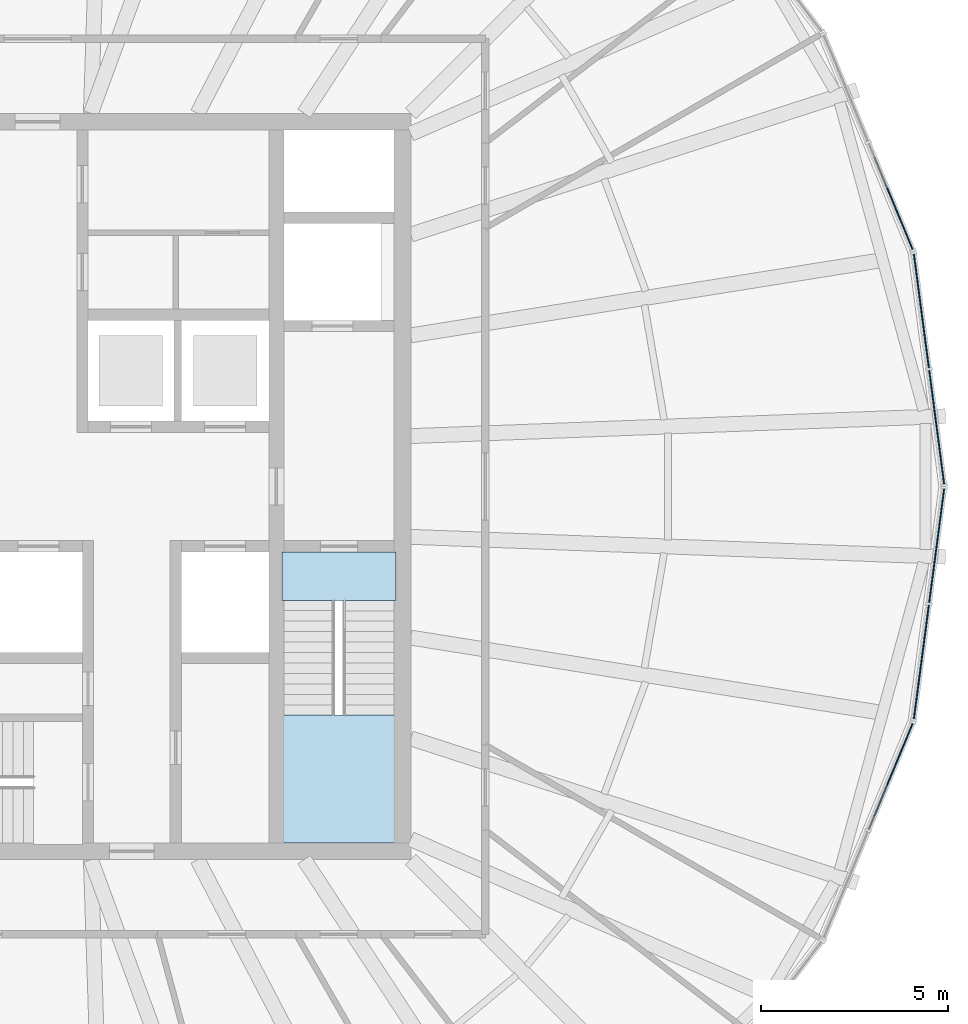
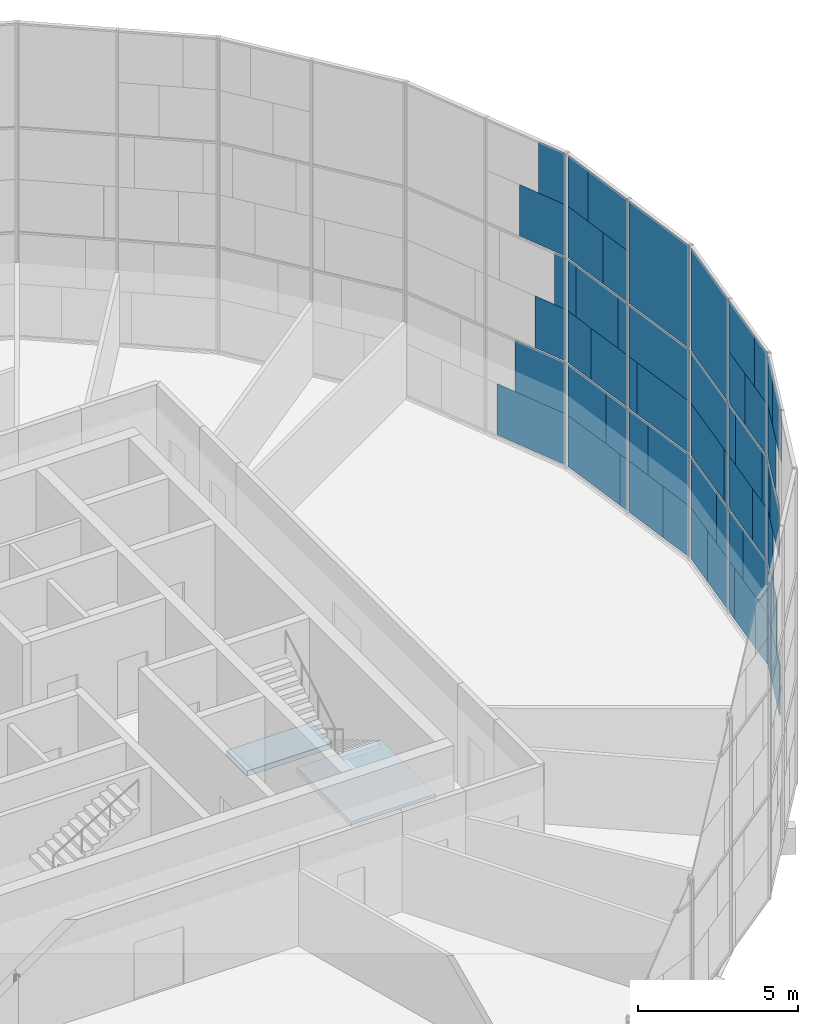
# One storey, part 14 of 22: 56 plates, 2 slabs, 5 elements without a shape of their own.
"""IFC4 building model written with IfcOpenShell, lengths in metres."""

from ifc_helpers import new_model, si_unit, direction, frame, origin, origin_2d, place, context, subcontext, project, spatial, polyline, rectangle, outline, extrude, material, layer, layer_set, type_object, element, aggregate, save


model = new_model("IFC4")

# Units and contexts
model_context = context("Model", 3, precision=1e-05, world=origin(), true_north=direction((0.0, 1.0)))
body_context = subcontext(model_context, "Body", "Model", "MODEL_VIEW")
ifc_project = project(units=[si_unit("LENGTHUNIT", "METRE"), si_unit("AREAUNIT", "SQUARE_METRE"), si_unit("VOLUMEUNIT", "CUBIC_METRE"), si_unit("PLANEANGLEUNIT", "RADIAN"), si_unit("MASSUNIT", "GRAM", prefix="KILO")], contexts=[model_context])

# Site, building, storey
site_placement = place(None, origin())
site = spatial("IfcSite", under=ifc_project, at=site_placement, CompositionType="ELEMENT")
building_placement = place(site_placement, origin())
building = spatial("IfcBuilding", under=site, at=building_placement, Name="Golbaran Civic Tower", CompositionType="ELEMENT")
storey_placement = place(building_placement, frame((0.0, 0.0, 155.0)))
storey = spatial("IfcBuildingStorey", under=building, at=storey_placement, Name="L37", CompositionType="ELEMENT", Elevation=155.0)

# Curtain wall, plates
ifc_material_1 = material(Name="Aluminium and glass", Category="aluminium")
curtain_wall_type = type_object("IfcCurtainWallType", Name="INNER SKIN CURTAIN WALL", PredefinedType="NOTDEFINED", material=ifc_material_1)
curtain_wall_1_placement = place(storey_placement, origin())
curtain_wall_1 = element("IfcCurtainWall", 1, at=curtain_wall_1_placement, inside=storey, type_object=curtain_wall_type, Name="Inner skin L37 facet 1 CW1", ObjectType="INNER SKIN", PredefinedType="USERDEFINED")
ifc_material_2 = material(Name="Clear insulating glass", Category="glass")
ifc_layer_1 = layer(ifc_material_2, 0.031982421875, Name="Clear insulating glass")
ifc_layer_set_1 = layer_set([ifc_layer_1], Name="Clear insulating glass")
plate_type_1 = type_object("IfcPlateType", Name="INNER SKIN CURTAIN WALL GLAZED PANEL", PredefinedType="CURTAIN_PANEL", material=ifc_layer_set_1)
plate_1_placement = place(storey_placement, frame((24.205810546875, 0.731201171875, 0.06494140625), z_axis=(0.0, 0.0, 1.0), x_axis=(-0.130526192289, 0.991444861365, 0.0)))
plate_1 = element("IfcPlate", 2, at=plate_1_placement, type_object=plate_type_1, Name="CW1 panel 1.1 part 1", PredefinedType="CURTAIN_PANEL", context=body_context, shape_type="SweptSolid", body=[
    extrude(rectangle(XDim=1.344970703125, YDim=0.031982421875, at=origin_2d()), origin(), (0.0, 0.0, 1.0), 1.951171875),
])
plate_2_placement = place(storey_placement, frame((24.156494140625, 1.1044921875, 2.016357421875), z_axis=(0.0, 0.0, 1.0), x_axis=(-0.130526192289, 0.991444861365, 0.0)))
plate_2 = element("IfcPlate", 3, at=plate_2_placement, type_object=plate_type_1, Name="CW1 panel 1.1 part 3", PredefinedType="CURTAIN_PANEL", context=body_context, shape_type="SweptSolid", body=[
    extrude(rectangle(XDim=2.097900390625, YDim=0.031982421875, at=origin_2d()), origin(), (0.0, 0.0, 1.0), 1.951171875),
])
plate_3_placement = place(storey_placement, frame((24.119140625, 1.389404296875, 4.03271484375), z_axis=(0.0, 0.0, 1.0), x_axis=(-0.130526192289, 0.991444861365, 0.0)))
plate_3 = element("IfcPlate", 4, at=plate_3_placement, type_object=plate_type_1, Name="CW1 panel 1.2 part 1", PredefinedType="CURTAIN_PANEL", context=body_context, shape_type="SweptSolid", body=[
    extrude(rectangle(XDim=2.673095703125, YDim=0.031982421875, at=origin_2d()), origin(), (0.0, 0.0, 1.0), 1.967529296875),
])
plate_4_placement = place(storey_placement, frame((24.0927734375, 1.588623046875, 6.0), z_axis=(0.0, 0.0, 1.0), x_axis=(-0.130526192289, 0.991444861365, 0.0)))
plate_4 = element("IfcPlate", 5, at=plate_4_placement, type_object=plate_type_1, Name="CW1 panel 1.2 part 3", PredefinedType="CURTAIN_PANEL", context=body_context, shape_type="SweptSolid", body=[
    extrude(rectangle(XDim=3.074462890625, YDim=0.031982421875, at=origin_2d()), origin(), (0.0, 0.0, 1.0), 1.967529296875),
])
plate_5_placement = place(storey_placement, frame((24.0927734375, 1.588623046875, 8.0322265625), z_axis=(0.0, 0.0, 1.0), x_axis=(-0.130526192289, 0.991444861365, 0.0)))
plate_5 = element("IfcPlate", 6, at=plate_5_placement, type_object=plate_type_1, Name="CW1 panel 1.3", PredefinedType="CURTAIN_PANEL", context=body_context, shape_type="SweptSolid", body=[
    extrude(rectangle(XDim=3.074462890625, YDim=0.031982421875, at=origin_2d()), origin(), (0.0, 0.0, 1.0), 3.902587890625),
])
plate_6_placement = place(storey_placement, frame((23.656982421875, 4.900146484375, 0.06494140625), z_axis=(0.0, 0.0, 1.0), x_axis=(-0.130526192289, 0.991444861365, 0.0)))
plate_6 = element("IfcPlate", 7, at=plate_6_placement, type_object=plate_type_1, Name="CW1 panel 2.1 part 2", PredefinedType="CURTAIN_PANEL", context=body_context, shape_type="SweptSolid", body=[
    extrude(rectangle(XDim=2.673583984375, YDim=0.031982421875, at=origin_2d()), origin(), (0.0, 0.0, 1.0), 1.951171875),
])
plate_7_placement = place(storey_placement, frame((23.610595703125, 5.25146484375, 2.016357421875), z_axis=(0.0, 0.0, 1.0), x_axis=(-0.130526192289, 0.991444861365, 0.0)))
plate_7 = element("IfcPlate", 8, at=plate_7_placement, type_object=plate_type_1, Name="CW1 panel 2.1 part 4", PredefinedType="CURTAIN_PANEL", context=body_context, shape_type="SweptSolid", body=[
    extrude(rectangle(XDim=1.964599609375, YDim=0.031982421875, at=origin_2d()), origin(), (0.0, 0.0, 1.0), 1.951171875),
])
plate_8_placement = place(storey_placement, frame((23.559326171875, 5.640625, 4.03271484375), z_axis=(0.0, 0.0, 1.0), x_axis=(-0.130526192289, 0.991444861365, 0.0)))
plate_8 = element("IfcPlate", 9, at=plate_8_placement, type_object=plate_type_1, Name="CW1 panel 2.2 part 2", PredefinedType="CURTAIN_PANEL", context=body_context, shape_type="SweptSolid", body=[
    extrude(rectangle(XDim=1.179443359375, YDim=0.031982421875, at=origin_2d()), origin(), (0.0, 0.0, 1.0), 1.967529296875),
])
plate_9_placement = place(storey_placement, frame((23.851318359375, 3.423583984375, 6.0), z_axis=(0.0, 0.0, 1.0), x_axis=(-0.130526192289, 0.991444861365, 0.0)))
plate_9 = element("IfcPlate", 10, at=plate_9_placement, type_object=plate_type_1, Name="CW1 panel 2.2 part 3", PredefinedType="CURTAIN_PANEL", context=body_context, shape_type="SweptSolid", body=[
    extrude(rectangle(XDim=0.4970703125, YDim=0.031982421875, at=origin_2d()), origin(), (0.0, 0.0, 1.0), 1.967529296875),
])
plate_10_placement = place(storey_placement, frame((23.509765625, 6.017333984375, 6.0), z_axis=(0.0, 0.0, 1.0), x_axis=(-0.130526192289, 0.991444861365, 0.0)))
plate_10 = element("IfcPlate", 11, at=plate_10_placement, type_object=plate_type_1, Name="CW1 panel 2.2 part 5", PredefinedType="CURTAIN_PANEL", context=body_context, shape_type="SweptSolid", body=[
    extrude(rectangle(XDim=0.41943359375, YDim=0.031982421875, at=origin_2d()), origin(), (0.0, 0.0, 1.0), 1.967529296875),
])
plate_11_placement = place(storey_placement, frame((23.800048828125, 3.812744140625, 8.032470703125), z_axis=(0.0, 0.0, 1.0), x_axis=(-0.130526192289, 0.991444861365, 0.0)))
plate_11 = element("IfcPlate", 12, at=plate_11_placement, type_object=plate_type_1, Name="CW1 panel 2.3 part 1", PredefinedType="CURTAIN_PANEL", context=body_context, shape_type="SweptSolid", body=[
    extrude(rectangle(XDim=1.281982421875, YDim=0.031982421875, at=origin_2d()), origin(), (0.0, 0.0, 1.0), 1.951171875),
])
plate_12_placement = place(storey_placement, frame((23.7509765625, 4.18603515625, 9.98388671875), z_axis=(0.0, 0.0, 1.0), x_axis=(-0.130526192289, 0.991444861365, 0.0)))
plate_12 = element("IfcPlate", 13, at=plate_12_placement, type_object=plate_type_1, Name="CW1 panel 2.3 part 3", PredefinedType="CURTAIN_PANEL", context=body_context, shape_type="SweptSolid", body=[
    extrude(rectangle(XDim=2.034912109375, YDim=0.031982421875, at=origin_2d()), origin(), (0.0, 0.0, 1.0), 1.951171875),
])

curtain_wall_2_placement = place(storey_placement, origin())
curtain_wall_2 = element("IfcCurtainWall", 14, at=curtain_wall_2_placement, inside=storey, type_object=curtain_wall_type, Name="Inner skin L37 facet 2 CW1", ObjectType="INNER SKIN", PredefinedType="USERDEFINED")
plate_13_placement = place(storey_placement, frame((22.9375, 7.584716796875, 0.06494140625), z_axis=(0.0, 0.0, 1.0), x_axis=(-0.382683432268, 0.923879532551, 0.0)))
plate_13 = element("IfcPlate", 15, at=plate_13_placement, type_object=plate_type_1, Name="CW1 panel 1.1 part 1", PredefinedType="CURTAIN_PANEL", context=body_context, shape_type="SweptSolid", body=[
    extrude(rectangle(XDim=2.673095703125, YDim=0.031982421875, at=origin_2d()), origin(), (0.0, 0.0, 1.0), 1.951171875),
])
plate_14_placement = place(storey_placement, frame((23.0732421875, 7.257080078125, 2.016357421875), z_axis=(0.0, 0.0, 1.0), x_axis=(-0.382683432268, 0.923879532551, 0.0)))
plate_14 = element("IfcPlate", 16, at=plate_14_placement, type_object=plate_type_1, Name="CW1 panel 1.1 part 3", PredefinedType="CURTAIN_PANEL", context=body_context, shape_type="SweptSolid", body=[
    extrude(rectangle(XDim=1.964111328125, YDim=0.031982421875, at=origin_2d()), origin(), (0.0, 0.0, 1.0), 1.951171875),
])
plate_15_placement = place(storey_placement, frame((23.223388671875, 6.89501953125, 4.03271484375), z_axis=(0.0, 0.0, 1.0), x_axis=(-0.382683432268, 0.923879532551, 0.0)))
plate_15 = element("IfcPlate", 17, at=plate_15_placement, type_object=plate_type_1, Name="CW1 panel 1.2 part 1", PredefinedType="CURTAIN_PANEL", context=body_context, shape_type="SweptSolid", body=[
    extrude(rectangle(XDim=1.179931640625, YDim=0.031982421875, at=origin_2d()), origin(), (0.0, 0.0, 1.0), 1.967529296875),
])
plate_16_placement = place(storey_placement, frame((23.36865234375, 6.5439453125, 6.0), z_axis=(0.0, 0.0, 1.0), x_axis=(-0.382683432268, 0.923879532551, 0.0)))
plate_16 = element("IfcPlate", 18, at=plate_16_placement, type_object=plate_type_1, Name="CW1 panel 1.2 part 3", PredefinedType="CURTAIN_PANEL", context=body_context, shape_type="SweptSolid", body=[
    extrude(rectangle(XDim=0.419921875, YDim=0.031982421875, at=origin_2d()), origin(), (0.0, 0.0, 1.0), 1.967529296875),
])

curtain_wall_3_placement = place(storey_placement, origin())
curtain_wall_3 = element("IfcCurtainWall", 19, at=curtain_wall_3_placement, inside=storey, type_object=curtain_wall_type, Name="Inner skin L37 facet 23 CW1", ObjectType="INNER SKIN", PredefinedType="USERDEFINED")
plate_17_placement = place(storey_placement, frame((22.9375, -7.5849609375, 0.06494140625), z_axis=(0.0, 0.0, 1.0), x_axis=(0.382683432268, 0.923879532551, 0.0)))
plate_17 = element("IfcPlate", 20, at=plate_17_placement, type_object=plate_type_1, Name="CW1 panel 2.1 part 2", PredefinedType="CURTAIN_PANEL", context=body_context, shape_type="SweptSolid", body=[
    extrude(rectangle(XDim=2.673583984375, YDim=0.031982421875, at=origin_2d()), origin(), (0.0, 0.0, 1.0), 1.951171875),
])
plate_18_placement = place(storey_placement, frame((23.0732421875, -7.25732421875, 2.016357421875), z_axis=(0.0, 0.0, 1.0), x_axis=(0.382683432268, 0.923879532551, 0.0)))
plate_18 = element("IfcPlate", 21, at=plate_18_placement, type_object=plate_type_1, Name="CW1 panel 2.1 part 4", PredefinedType="CURTAIN_PANEL", context=body_context, shape_type="SweptSolid", body=[
    extrude(rectangle(XDim=1.964599609375, YDim=0.031982421875, at=origin_2d()), origin(), (0.0, 0.0, 1.0), 1.951171875),
])
plate_19_placement = place(storey_placement, frame((23.223388671875, -6.894775390625, 4.03271484375), z_axis=(0.0, 0.0, 1.0), x_axis=(0.382683432268, 0.923879532551, 0.0)))
plate_19 = element("IfcPlate", 22, at=plate_19_placement, type_object=plate_type_1, Name="CW1 panel 2.2 part 2", PredefinedType="CURTAIN_PANEL", context=body_context, shape_type="SweptSolid", body=[
    extrude(rectangle(XDim=1.179443359375, YDim=0.031982421875, at=origin_2d()), origin(), (0.0, 0.0, 1.0), 1.967529296875),
])
plate_20_placement = place(storey_placement, frame((23.368896484375, -6.543701171875, 6.0), z_axis=(0.0, 0.0, 1.0), x_axis=(0.382683432268, 0.923879532551, 0.0)))
plate_20 = element("IfcPlate", 23, at=plate_20_placement, type_object=plate_type_1, Name="CW1 panel 2.2 part 5", PredefinedType="CURTAIN_PANEL", context=body_context, shape_type="SweptSolid", body=[
    extrude(rectangle(XDim=0.41943359375, YDim=0.031982421875, at=origin_2d()), origin(), (0.0, 0.0, 1.0), 1.967529296875),
])
plate_21_placement = place(storey_placement, frame((22.661865234375, -8.250244140625, 9.98388671875), z_axis=(0.0, 0.0, 1.0), x_axis=(0.382683432268, 0.923879532551, 0.0)))
plate_21 = element("IfcPlate", 24, at=plate_21_placement, type_object=plate_type_1, Name="CW1 panel 2.3 part 3", PredefinedType="CURTAIN_PANEL", context=body_context, shape_type="SweptSolid", body=[
    extrude(rectangle(XDim=2.034912109375, YDim=0.031982421875, at=origin_2d()), origin(), (0.0, 0.0, 1.0), 1.951171875),
])

curtain_wall_4_placement = place(storey_placement, origin())
curtain_wall_4 = element("IfcCurtainWall", 25, at=curtain_wall_4_placement, inside=storey, type_object=curtain_wall_type, Name="Inner skin L37 facet 24 CW1", ObjectType="INNER SKIN", PredefinedType="USERDEFINED")
plate_22_placement = place(storey_placement, frame((23.656982421875, -4.900390625, 0.06494140625), z_axis=(0.0, 0.0, 1.0), x_axis=(0.130526192289, 0.991444861365, 0.0)))
plate_22 = element("IfcPlate", 26, at=plate_22_placement, type_object=plate_type_1, Name="CW1 panel 1.1 part 1", PredefinedType="CURTAIN_PANEL", context=body_context, shape_type="SweptSolid", body=[
    extrude(rectangle(XDim=2.673095703125, YDim=0.031982421875, at=origin_2d()), origin(), (0.0, 0.0, 1.0), 1.951171875),
])
plate_23_placement = place(storey_placement, frame((23.610595703125, -5.251708984375, 2.016357421875), z_axis=(0.0, 0.0, 1.0), x_axis=(0.130526192289, 0.991444861365, 0.0)))
plate_23 = element("IfcPlate", 27, at=plate_23_placement, type_object=plate_type_1, Name="CW1 panel 1.1 part 3", PredefinedType="CURTAIN_PANEL", context=body_context, shape_type="SweptSolid", body=[
    extrude(rectangle(XDim=1.964111328125, YDim=0.031982421875, at=origin_2d()), origin(), (0.0, 0.0, 1.0), 1.951171875),
])
plate_24_placement = place(storey_placement, frame((23.559326171875, -5.640380859375, 4.03271484375), z_axis=(0.0, 0.0, 1.0), x_axis=(0.130526192289, 0.991444861365, 0.0)))
plate_24 = element("IfcPlate", 28, at=plate_24_placement, type_object=plate_type_1, Name="CW1 panel 1.2 part 1", PredefinedType="CURTAIN_PANEL", context=body_context, shape_type="SweptSolid", body=[
    extrude(rectangle(XDim=1.179931640625, YDim=0.031982421875, at=origin_2d()), origin(), (0.0, 0.0, 1.0), 1.967529296875),
])
plate_25_placement = place(storey_placement, frame((23.509765625, -6.01708984375, 6.0), z_axis=(0.0, 0.0, 1.0), x_axis=(0.130526192289, 0.991444861365, 0.0)))
plate_25 = element("IfcPlate", 29, at=plate_25_placement, type_object=plate_type_1, Name="CW1 panel 1.2 part 3", PredefinedType="CURTAIN_PANEL", context=body_context, shape_type="SweptSolid", body=[
    extrude(rectangle(XDim=0.419921875, YDim=0.031982421875, at=origin_2d()), origin(), (0.0, 0.0, 1.0), 1.967529296875),
])
plate_26_placement = place(storey_placement, frame((23.851318359375, -3.42333984375, 6.0), z_axis=(0.0, 0.0, 1.0), x_axis=(0.130526192289, 0.991444861365, 0.0)))
plate_26 = element("IfcPlate", 30, at=plate_26_placement, type_object=plate_type_1, Name="CW1 panel 1.2 part 5", PredefinedType="CURTAIN_PANEL", context=body_context, shape_type="SweptSolid", body=[
    extrude(rectangle(XDim=0.49658203125, YDim=0.031982421875, at=origin_2d()), origin(), (0.0, 0.0, 1.0), 1.967529296875),
])
plate_27_placement = place(storey_placement, frame((23.800048828125, -3.8125, 8.032470703125), z_axis=(0.0, 0.0, 1.0), x_axis=(0.130526192289, 0.991444861365, 0.0)))
plate_27 = element("IfcPlate", 31, at=plate_27_placement, type_object=plate_type_1, Name="CW1 panel 1.3 part 2", PredefinedType="CURTAIN_PANEL", context=body_context, shape_type="SweptSolid", body=[
    extrude(rectangle(XDim=1.281494140625, YDim=0.031982421875, at=origin_2d()), origin(), (0.0, 0.0, 1.0), 1.951171875),
])
plate_28_placement = place(storey_placement, frame((23.7509765625, -4.186279296875, 9.98388671875), z_axis=(0.0, 0.0, 1.0), x_axis=(0.130526192289, 0.991444861365, 0.0)))
plate_28 = element("IfcPlate", 32, at=plate_28_placement, type_object=plate_type_1, Name="CW1 panel 1.3 part 4", PredefinedType="CURTAIN_PANEL", context=body_context, shape_type="SweptSolid", body=[
    extrude(rectangle(XDim=2.03564453125, YDim=0.031982421875, at=origin_2d()), origin(), (0.0, 0.0, 1.0), 1.951171875),
])
plate_29_placement = place(storey_placement, frame((24.205810546875, -0.73095703125, 0.06494140625), z_axis=(0.0, 0.0, 1.0), x_axis=(0.130526192289, 0.991444861365, 0.0)))
plate_29 = element("IfcPlate", 33, at=plate_29_placement, type_object=plate_type_1, Name="CW1 panel 2.1 part 2", PredefinedType="CURTAIN_PANEL", context=body_context, shape_type="SweptSolid", body=[
    extrude(rectangle(XDim=1.344482421875, YDim=0.031982421875, at=origin_2d()), origin(), (0.0, 0.0, 1.0), 1.951171875),
])
plate_30_placement = place(storey_placement, frame((24.156494140625, -1.104736328125, 2.016357421875), z_axis=(0.0, 0.0, 1.0), x_axis=(0.130526192289, 0.991444861365, 0.0)))
plate_30 = element("IfcPlate", 34, at=plate_30_placement, type_object=plate_type_1, Name="CW1 panel 2.1 part 4", PredefinedType="CURTAIN_PANEL", context=body_context, shape_type="SweptSolid", body=[
    extrude(rectangle(XDim=2.0986328125, YDim=0.031982421875, at=origin_2d()), origin(), (0.0, 0.0, 1.0), 1.951171875),
])
plate_31_placement = place(storey_placement, frame((24.118896484375, -1.390380859375, 4.03271484375), z_axis=(0.0, 0.0, 1.0), x_axis=(0.130526192289, 0.991444861365, 0.0)))
plate_31 = element("IfcPlate", 35, at=plate_31_placement, type_object=plate_type_1, Name="CW1 panel 2.2 part 2", PredefinedType="CURTAIN_PANEL", context=body_context, shape_type="SweptSolid", body=[
    extrude(rectangle(XDim=2.674560546875, YDim=0.031982421875, at=origin_2d()), origin(), (0.0, 0.0, 1.0), 1.967529296875),
])
plate_32_placement = place(storey_placement, frame((24.0927734375, -1.588623046875, 6.0), z_axis=(0.0, 0.0, 1.0), x_axis=(0.130526192289, 0.991444861365, 0.0)))
plate_32 = element("IfcPlate", 36, at=plate_32_placement, type_object=plate_type_1, Name="CW1 panel 2.2 part 3", PredefinedType="CURTAIN_PANEL", context=body_context, shape_type="SweptSolid", body=[
    extrude(rectangle(XDim=3.074462890625, YDim=0.031982421875, at=origin_2d()), origin(), (0.0, 0.0, 1.0), 1.967529296875),
])
plate_33_placement = place(storey_placement, frame((24.0927734375, -1.588623046875, 8.0322265625), z_axis=(0.0, 0.0, 1.0), x_axis=(0.130526192289, 0.991444861365, 0.0)))
plate_33 = element("IfcPlate", 37, at=plate_33_placement, type_object=plate_type_1, Name="CW1 panel 2.3", PredefinedType="CURTAIN_PANEL", context=body_context, shape_type="SweptSolid", body=[
    extrude(rectangle(XDim=3.074462890625, YDim=0.031982421875, at=origin_2d()), origin(), (0.0, 0.0, 1.0), 3.902587890625),
])

# Plate
ifc_material_3 = material(Name="Aluminium faced opaque infill panel", Category="aluminium")
ifc_layer_2 = layer(ifc_material_3, 0.031982421875, Name="Aluminium faced opaque infill panel")
ifc_layer_set_2 = layer_set([ifc_layer_2], Name="Aluminium faced opaque infill panel")
plate_type_2 = type_object("IfcPlateType", Name="INNER SKIN CURTAIN WALL OPAQUE INFILL PANEL", PredefinedType="CURTAIN_PANEL", material=ifc_layer_set_2)
plate_34_placement = place(storey_placement, frame((24.005126953125, 2.25537109375, 0.06494140625), z_axis=(0.0, 0.0, 1.0), x_axis=(-0.130526192289, 0.991444861365, 0.0)))
plate_34 = element("IfcPlate", 38, at=plate_34_placement, type_object=plate_type_2, Name="CW1 infill panel 1.1 part 2", PredefinedType="CURTAIN_PANEL", context=body_context, shape_type="SweptSolid", body=[
    extrude(rectangle(XDim=1.7294921875, YDim=0.031982421875, at=origin_2d()), origin(), (0.0, 0.0, 1.0), 1.951171875),
])

plate_35_placement = place(storey_placement, frame((23.9560546875, 2.628662109375, 2.016357421875), z_axis=(0.0, 0.0, 1.0), x_axis=(-0.130526192289, 0.991444861365, 0.0)))
plate_35 = element("IfcPlate", 39, at=plate_35_placement, type_object=plate_type_2, Name="CW1 infill panel 1.1 part 4", PredefinedType="CURTAIN_PANEL", context=body_context, shape_type="SweptSolid", body=[
    extrude(rectangle(XDim=0.9765625, YDim=0.031982421875, at=origin_2d()), origin(), (0.0, 0.0, 1.0), 1.951171875),
])

plate_36_placement = place(storey_placement, frame((23.91845703125, 2.91357421875, 4.03271484375), z_axis=(0.0, 0.0, 1.0), x_axis=(-0.130526192289, 0.991444861365, 0.0)))
plate_36 = element("IfcPlate", 40, at=plate_36_placement, type_object=plate_type_2, Name="CW1 infill panel 1.2 part 2", PredefinedType="CURTAIN_PANEL", context=body_context, shape_type="SweptSolid", body=[
    extrude(rectangle(XDim=0.401611328125, YDim=0.031982421875, at=origin_2d()), origin(), (0.0, 0.0, 1.0), 1.967529296875),
])

plate_37_placement = place(storey_placement, frame((23.857666015625, 3.3759765625, 0.06494140625), z_axis=(0.0, 0.0, 1.0), x_axis=(-0.130526192289, 0.991444861365, 0.0)))
plate_37 = element("IfcPlate", 41, at=plate_37_placement, type_object=plate_type_2, Name="CW1 infill panel 2.1 part 1", PredefinedType="CURTAIN_PANEL", context=body_context, shape_type="SweptSolid", body=[
    extrude(rectangle(XDim=0.40087890625, YDim=0.031982421875, at=origin_2d()), origin(), (0.0, 0.0, 1.0), 1.951171875),
])

plate_38_placement = place(storey_placement, frame((23.811279296875, 3.727294921875, 2.016357421875), z_axis=(0.0, 0.0, 1.0), x_axis=(-0.130526192289, 0.991444861365, 0.0)))
plate_38 = element("IfcPlate", 42, at=plate_38_placement, type_object=plate_type_2, Name="CW1 infill panel 2.1 part 3", PredefinedType="CURTAIN_PANEL", context=body_context, shape_type="SweptSolid", body=[
    extrude(rectangle(XDim=1.110107421875, YDim=0.031982421875, at=origin_2d()), origin(), (0.0, 0.0, 1.0), 1.951171875),
])

plate_39_placement = place(storey_placement, frame((23.760009765625, 4.116455078125, 4.03271484375), z_axis=(0.0, 0.0, 1.0), x_axis=(-0.130526192289, 0.991444861365, 0.0)))
plate_39 = element("IfcPlate", 43, at=plate_39_placement, type_object=plate_type_2, Name="CW1 infill panel 2.2 part 1", PredefinedType="CURTAIN_PANEL", context=body_context, shape_type="SweptSolid", body=[
    extrude(rectangle(XDim=1.89501953125, YDim=0.031982421875, at=origin_2d()), origin(), (0.0, 0.0, 1.0), 1.967529296875),
])

plate_40_placement = place(storey_placement, frame((23.677978515625, 4.73974609375, 6.0), z_axis=(0.0, 0.0, 1.0), x_axis=(-0.130526192289, 0.991444861365, 0.0)))
plate_40 = element("IfcPlate", 44, at=plate_40_placement, type_object=plate_type_2, Name="CW1 infill panel 2.2 part 4", PredefinedType="CURTAIN_PANEL", context=body_context, shape_type="SweptSolid", body=[
    extrude(rectangle(XDim=2.157958984375, YDim=0.031982421875, at=origin_2d()), origin(), (0.0, 0.0, 1.0), 1.967529296875),
])

plate_41_placement = place(storey_placement, frame((23.599365234375, 5.336669921875, 8.032470703125), z_axis=(0.0, 0.0, 1.0), x_axis=(-0.130526192289, 0.991444861365, 0.0)))
plate_41 = element("IfcPlate", 45, at=plate_41_placement, type_object=plate_type_2, Name="CW1 infill panel 2.3 part 2", PredefinedType="CURTAIN_PANEL", context=body_context, shape_type="SweptSolid", body=[
    extrude(rectangle(XDim=1.79248046875, YDim=0.031982421875, at=origin_2d()), origin(), (0.0, 0.0, 1.0), 1.951171875),
])

plate_42_placement = place(storey_placement, frame((23.55029296875, 5.7099609375, 9.98388671875), z_axis=(0.0, 0.0, 1.0), x_axis=(-0.130526192289, 0.991444861365, 0.0)))
plate_42 = element("IfcPlate", 46, at=plate_42_placement, type_object=plate_type_2, Name="CW1 infill panel 2.3 part 4", PredefinedType="CURTAIN_PANEL", context=body_context, shape_type="SweptSolid", body=[
    extrude(rectangle(XDim=1.03955078125, YDim=0.031982421875, at=origin_2d()), origin(), (0.0, 0.0, 1.0), 1.951171875),
])

aggregate(curtain_wall_1, [plate_1, plate_34, plate_2, plate_35, plate_3, plate_36, plate_4, plate_5, plate_37, plate_6, plate_38, plate_7, plate_39, plate_8, plate_9, plate_40, plate_10, plate_11, plate_41, plate_12, plate_42])

plate_43_placement = place(storey_placement, frame((23.10595703125, 7.17822265625, 8.032470703125), z_axis=(0.0, 0.0, 1.0), x_axis=(-0.382683432268, 0.923879532551, 0.0)))
plate_43 = element("IfcPlate", 47, at=plate_43_placement, type_object=plate_type_2, Name="CW1 infill panel 1.3 part 1", PredefinedType="CURTAIN_PANEL", context=body_context, shape_type="SweptSolid", body=[
    extrude(rectangle(XDim=1.79296875, YDim=0.031982421875, at=origin_2d()), origin(), (0.0, 0.0, 1.0), 1.951171875),
])

plate_44_placement = place(storey_placement, frame((23.250244140625, 6.829833984375, 9.98388671875), z_axis=(0.0, 0.0, 1.0), x_axis=(-0.382683432268, 0.923879532551, 0.0)))
plate_44 = element("IfcPlate", 48, at=plate_44_placement, type_object=plate_type_2, Name="CW1 infill panel 1.3 part 3", PredefinedType="CURTAIN_PANEL", context=body_context, shape_type="SweptSolid", body=[
    extrude(rectangle(XDim=1.0390625, YDim=0.031982421875, at=origin_2d()), origin(), (0.0, 0.0, 1.0), 1.951171875),
])

aggregate(curtain_wall_2, [plate_13, plate_14, plate_15, plate_16, plate_43, plate_44])

plate_45_placement = place(storey_placement, frame((22.87548828125, -7.734375, 6.0), z_axis=(0.0, 0.0, 1.0), x_axis=(0.382683432268, 0.923879532551, 0.0)))
plate_45 = element("IfcPlate", 49, at=plate_45_placement, type_object=plate_type_2, Name="CW1 infill panel 2.2 part 4", PredefinedType="CURTAIN_PANEL", context=body_context, shape_type="SweptSolid", body=[
    extrude(rectangle(XDim=2.157958984375, YDim=0.031982421875, at=origin_2d()), origin(), (0.0, 0.0, 1.0), 1.967529296875),
])

plate_46_placement = place(storey_placement, frame((23.10595703125, -7.177978515625, 8.032470703125), z_axis=(0.0, 0.0, 1.0), x_axis=(0.382683432268, 0.923879532551, 0.0)))
plate_46 = element("IfcPlate", 50, at=plate_46_placement, type_object=plate_type_2, Name="CW1 infill panel 2.3 part 2", PredefinedType="CURTAIN_PANEL", context=body_context, shape_type="SweptSolid", body=[
    extrude(rectangle(XDim=1.79248046875, YDim=0.031982421875, at=origin_2d()), origin(), (0.0, 0.0, 1.0), 1.951171875),
])

plate_47_placement = place(storey_placement, frame((23.250244140625, -6.830078125, 9.98388671875), z_axis=(0.0, 0.0, 1.0), x_axis=(0.382683432268, 0.923879532551, 0.0)))
plate_47 = element("IfcPlate", 51, at=plate_47_placement, type_object=plate_type_2, Name="CW1 infill panel 2.3 part 4", PredefinedType="CURTAIN_PANEL", context=body_context, shape_type="SweptSolid", body=[
    extrude(rectangle(XDim=1.03955078125, YDim=0.031982421875, at=origin_2d()), origin(), (0.0, 0.0, 1.0), 1.951171875),
])

aggregate(curtain_wall_3, [plate_17, plate_18, plate_19, plate_45, plate_20, plate_46, plate_21, plate_47])

plate_48_placement = place(storey_placement, frame((23.857421875, -3.376220703125, 0.06494140625), z_axis=(0.0, 0.0, 1.0), x_axis=(0.130526192289, 0.991444861365, 0.0)))
plate_48 = element("IfcPlate", 52, at=plate_48_placement, type_object=plate_type_2, Name="CW1 infill panel 1.1 part 2", PredefinedType="CURTAIN_PANEL", context=body_context, shape_type="SweptSolid", body=[
    extrude(rectangle(XDim=0.401611328125, YDim=0.031982421875, at=origin_2d()), origin(), (0.0, 0.0, 1.0), 1.951171875),
])

plate_49_placement = place(storey_placement, frame((23.811279296875, -3.7275390625, 2.016357421875), z_axis=(0.0, 0.0, 1.0), x_axis=(0.130526192289, 0.991444861365, 0.0)))
plate_49 = element("IfcPlate", 53, at=plate_49_placement, type_object=plate_type_2, Name="CW1 infill panel 1.1 part 4", PredefinedType="CURTAIN_PANEL", context=body_context, shape_type="SweptSolid", body=[
    extrude(rectangle(XDim=1.110595703125, YDim=0.031982421875, at=origin_2d()), origin(), (0.0, 0.0, 1.0), 1.951171875),
])

plate_50_placement = place(storey_placement, frame((23.760009765625, -4.1162109375, 4.03271484375), z_axis=(0.0, 0.0, 1.0), x_axis=(0.130526192289, 0.991444861365, 0.0)))
plate_50 = element("IfcPlate", 54, at=plate_50_placement, type_object=plate_type_2, Name="CW1 infill panel 1.2 part 2", PredefinedType="CURTAIN_PANEL", context=body_context, shape_type="SweptSolid", body=[
    extrude(rectangle(XDim=1.89453125, YDim=0.031982421875, at=origin_2d()), origin(), (0.0, 0.0, 1.0), 1.967529296875),
])

plate_51_placement = place(storey_placement, frame((23.677978515625, -4.7392578125, 6.0), z_axis=(0.0, 0.0, 1.0), x_axis=(0.130526192289, 0.991444861365, 0.0)))
plate_51 = element("IfcPlate", 55, at=plate_51_placement, type_object=plate_type_2, Name="CW1 infill panel 1.2 part 4", PredefinedType="CURTAIN_PANEL", context=body_context, shape_type="SweptSolid", body=[
    extrude(rectangle(XDim=2.157958984375, YDim=0.031982421875, at=origin_2d()), origin(), (0.0, 0.0, 1.0), 1.967529296875),
])

plate_52_placement = place(storey_placement, frame((23.599365234375, -5.33642578125, 8.032470703125), z_axis=(0.0, 0.0, 1.0), x_axis=(0.130526192289, 0.991444861365, 0.0)))
plate_52 = element("IfcPlate", 56, at=plate_52_placement, type_object=plate_type_2, Name="CW1 infill panel 1.3 part 1", PredefinedType="CURTAIN_PANEL", context=body_context, shape_type="SweptSolid", body=[
    extrude(rectangle(XDim=1.79296875, YDim=0.031982421875, at=origin_2d()), origin(), (0.0, 0.0, 1.0), 1.951171875),
])

plate_53_placement = place(storey_placement, frame((23.55029296875, -5.710205078125, 9.98388671875), z_axis=(0.0, 0.0, 1.0), x_axis=(0.130526192289, 0.991444861365, 0.0)))
plate_53 = element("IfcPlate", 57, at=plate_53_placement, type_object=plate_type_2, Name="CW1 infill panel 1.3 part 3", PredefinedType="CURTAIN_PANEL", context=body_context, shape_type="SweptSolid", body=[
    extrude(rectangle(XDim=1.0390625, YDim=0.031982421875, at=origin_2d()), origin(), (0.0, 0.0, 1.0), 1.951171875),
])

plate_54_placement = place(storey_placement, frame((24.005126953125, -2.255126953125, 0.06494140625), z_axis=(0.0, 0.0, 1.0), x_axis=(0.130526192289, 0.991444861365, 0.0)))
plate_54 = element("IfcPlate", 58, at=plate_54_placement, type_object=plate_type_2, Name="CW1 infill panel 2.1 part 1", PredefinedType="CURTAIN_PANEL", context=body_context, shape_type="SweptSolid", body=[
    extrude(rectangle(XDim=1.72998046875, YDim=0.031982421875, at=origin_2d()), origin(), (0.0, 0.0, 1.0), 1.951171875),
])

plate_55_placement = place(storey_placement, frame((23.955810546875, -2.62890625, 2.016357421875), z_axis=(0.0, 0.0, 1.0), x_axis=(0.130526192289, 0.991444861365, 0.0)))
plate_55 = element("IfcPlate", 59, at=plate_55_placement, type_object=plate_type_2, Name="CW1 infill panel 2.1 part 3", PredefinedType="CURTAIN_PANEL", context=body_context, shape_type="SweptSolid", body=[
    extrude(rectangle(XDim=0.97607421875, YDim=0.031982421875, at=origin_2d()), origin(), (0.0, 0.0, 1.0), 1.951171875),
])

plate_56_placement = place(storey_placement, frame((23.918212890625, -2.914306640625, 4.03271484375), z_axis=(0.0, 0.0, 1.0), x_axis=(0.130526192289, 0.991444861365, 0.0)))
plate_56 = element("IfcPlate", 60, at=plate_56_placement, type_object=plate_type_2, Name="CW1 infill panel 2.2 part 1", PredefinedType="CURTAIN_PANEL", context=body_context, shape_type="SweptSolid", body=[
    extrude(rectangle(XDim=0.39990234375, YDim=0.031982421875, at=origin_2d()), origin(), (0.0, 0.0, 1.0), 1.967529296875),
])

aggregate(curtain_wall_4, [plate_22, plate_48, plate_23, plate_49, plate_24, plate_50, plate_25, plate_51, plate_26, plate_52, plate_27, plate_53, plate_28, plate_54, plate_29, plate_55, plate_30, plate_56, plate_31, plate_32, plate_33])

# Stair, slab
ifc_material_4 = material(Name="Concrete C35/45", Category="concrete")
stair_type = type_object("IfcStairType", Name="EXIT STAIR 2950 x 7800, 4000 RISE", PredefinedType="HALF_TURN_STAIR", material=ifc_material_4)
stair_placement = place(storey_placement, origin())
stair = element("IfcStair", 61, at=stair_placement, inside=storey, type_object=stair_type, Name="Stair S2 L37", PredefinedType="HALF_TURN_STAIR")
ifc_layer_3 = layer(ifc_material_4, 0.199951171875, Name="Concrete C35/45")
ifc_layer_set_3 = layer_set([ifc_layer_3], Name="Concrete C35/45")
slab_type = type_object("IfcSlabType", Name="STAIR LANDING 200", PredefinedType="LANDING", material=ifc_layer_set_3)
slab_1_placement = place(storey_placement, frame((0.0, 0.0, 1.800048828125)))
slab_1 = element("IfcSlab", 62, at=slab_1_placement, type_object=slab_type, Name="ST29578-40 landing 1", PredefinedType="LANDING", context=body_context, shape_type="SweptSolid", body=[
    extrude(outline(polyline([(9.60009765625, -6.125), (9.60009765625, -9.550048828125), (6.550048828125, -9.550048828125), (6.550048828125, -6.125), (9.60009765625, -6.125)])), origin(), (0.0, 0.0, 1.0), 0.199951171875),
])
aggregate(stair, [slab_1])

# Slab
slab_2_placement = place(storey_placement, frame((0.0, 0.0, -0.199951171875)))
element("IfcSlab", 63, at=slab_2_placement, inside=storey, type_object=slab_type, Name="Stair S2 floor landing L37", PredefinedType="LANDING", context=body_context, shape_type="SweptSolid", body=[
    extrude(outline(polyline([(9.60009765625, -1.75), (9.60009765625, -3.054931640625), (6.550048828125, -3.054931640625), (6.550048828125, -1.75), (9.60009765625, -1.75)])), origin(), (0.0, 0.0, 1.0), 0.199951171875),
])

save(model, "model.ifc")
